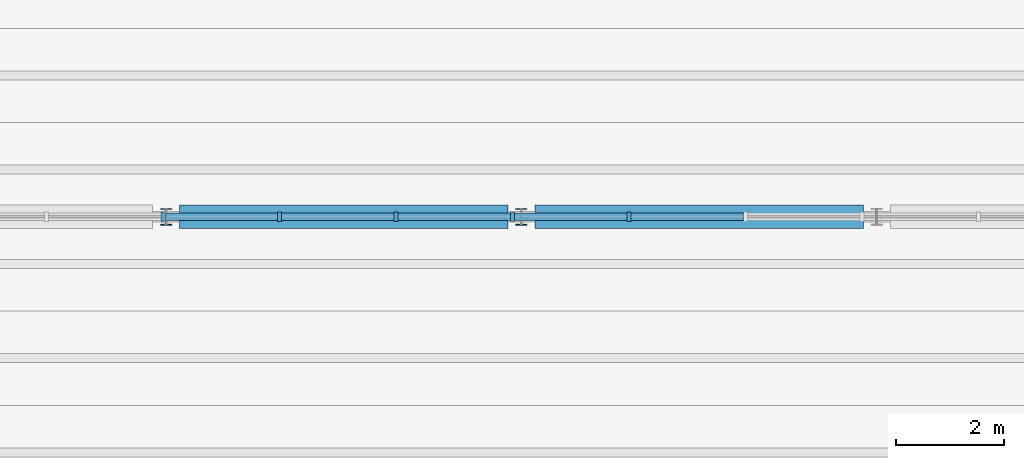
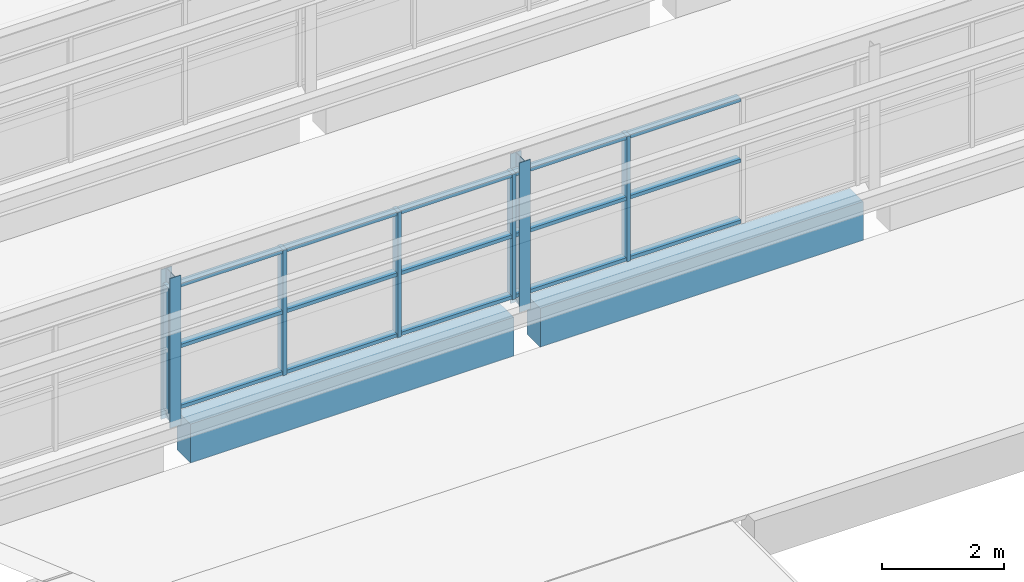
# One storey, part 46 of 92: 22 members, 2 beams, 1 element without a shape of its own.
"""IFC4 building model written with IfcOpenShell, lengths in metres."""

from ifc_helpers import new_model, si_unit, direction, frame, origin, origin_2d, place, context, subcontext, project, spatial, rectangle, i_section, extrude, material, material_profile, profile_set, type_object, element, aggregate, save


model = new_model("IFC4")

# Units and contexts
model_context = context("Model", 3, precision=1e-05, world=origin(), true_north=direction((0.0, 1.0)))
body_context = subcontext(model_context, "Body", "Model", "MODEL_VIEW")
ifc_project = project(units=[si_unit("LENGTHUNIT", "METRE"), si_unit("AREAUNIT", "SQUARE_METRE"), si_unit("VOLUMEUNIT", "CUBIC_METRE"), si_unit("PLANEANGLEUNIT", "RADIAN"), si_unit("MASSUNIT", "GRAM", prefix="KILO")], contexts=[model_context])

# Site, building, storey
site_placement = place(None, origin())
site = spatial("IfcSite", under=ifc_project, at=site_placement, CompositionType="ELEMENT")
building_placement = place(site_placement, origin())
building = spatial("IfcBuilding", under=site, at=building_placement, Name="Ciguamira Faculty of Natural Sciences", CompositionType="ELEMENT")
storey_placement = place(building_placement, frame((0.0, 0.0, 16.800048828125)))
storey = spatial("IfcBuildingStorey", under=building, at=storey_placement, Name="L04", CompositionType="ELEMENT", Elevation=16.800048828125)

# Curtain wall, members
ifc_material_1 = material(Name="Anodized aluminium curtain wall", Category="aluminium")
curtain_wall_type = type_object("IfcCurtainWallType", Name="CurtainWall_CW-07", PredefinedType="USERDEFINED", material=ifc_material_1)
curtain_wall_placement = place(storey_placement, origin())
curtain_wall = element("IfcCurtainWall", 1, at=curtain_wall_placement, inside=storey, type_object=curtain_wall_type, Name="V4 north-light wave 5 clerestory glazing 1", ObjectType="UNITISED CURTAIN WALL", PredefinedType="USERDEFINED")
ifc_material_2 = material(Name="Anodized aluminium mullion", Category="aluminium")
ifc_material_profile_1 = material_profile(ifc_material_2, rectangle(XDim=0.070068359375, YDim=0.179931640625, at=origin_2d()), Name="ALU-MUL-70X180")
ifc_profile_set_1 = profile_set([ifc_material_profile_1], Name="Anodized aluminium mullion")
member_type_1 = type_object("IfcMemberType", Name="CWMullion_CWM-02", PredefinedType="MULLION", material=ifc_profile_set_1)
member_1_placement = place(storey_placement, frame((90.244384765625, 80.0, 0.25), z_axis=(0.0, 0.0, 1.0), x_axis=(1.0, 0.0, 0.0)))
member_1 = element("IfcMember", 2, at=member_1_placement, type_object=member_type_1, Name="CW-07 mullion 16", PredefinedType="MULLION", context=body_context, shape_type="SweptSolid", body=[
    extrude(rectangle(XDim=0.070068359375, YDim=0.179931640625, at=origin_2d()), origin(), (0.0, 0.0, 1.0), 2.5),
])
member_2_placement = place(storey_placement, frame((92.407470703125, 80.0, 0.25), z_axis=(0.0, 0.0, 1.0), x_axis=(1.0, 0.0, 0.0)))
member_2 = element("IfcMember", 3, at=member_2_placement, type_object=member_type_1, Name="CW-07 mullion 17", PredefinedType="MULLION", context=body_context, shape_type="SweptSolid", body=[
    extrude(rectangle(XDim=0.070068359375, YDim=0.179931640625, at=origin_2d()), origin(), (0.0, 0.0, 1.0), 2.5),
])
member_3_placement = place(storey_placement, frame((94.5703125, 80.0, 0.25), z_axis=(0.0, 0.0, 1.0), x_axis=(1.0, 0.0, 0.0)))
member_3 = element("IfcMember", 4, at=member_3_placement, type_object=member_type_1, Name="CW-07 mullion 18", PredefinedType="MULLION", context=body_context, shape_type="SweptSolid", body=[
    extrude(rectangle(XDim=0.070068359375, YDim=0.179931640625, at=origin_2d()), origin(), (0.0, 0.0, 1.0), 2.5),
])
member_4_placement = place(storey_placement, frame((96.7333984375, 80.0, 0.25), z_axis=(0.0, 0.0, 1.0), x_axis=(1.0, 0.0, 0.0)))
member_4 = element("IfcMember", 5, at=member_4_placement, type_object=member_type_1, Name="CW-07 mullion 19", PredefinedType="MULLION", context=body_context, shape_type="SweptSolid", body=[
    extrude(rectangle(XDim=0.070068359375, YDim=0.179931640625, at=origin_2d()), origin(), (0.0, 0.0, 1.0), 2.5),
])
member_5_placement = place(storey_placement, frame((98.896240234375, 80.0, 0.25), z_axis=(0.0, 0.0, 1.0), x_axis=(1.0, 0.0, 0.0)))
member_5 = element("IfcMember", 6, at=member_5_placement, type_object=member_type_1, Name="CW-07 mullion 20", PredefinedType="MULLION", context=body_context, shape_type="SweptSolid", body=[
    extrude(rectangle(XDim=0.070068359375, YDim=0.179931640625, at=origin_2d()), origin(), (0.0, 0.0, 1.0), 2.5),
])
ifc_material_3 = material(Name="Anodized aluminium transom", Category="aluminium")
ifc_material_profile_2 = material_profile(ifc_material_3, rectangle(XDim=0.070068359375, YDim=0.139892578125, at=origin_2d()), Name="ALU-TRN-70X140")
ifc_profile_set_2 = profile_set([ifc_material_profile_2], Name="Anodized aluminium transom")
member_type_2 = type_object("IfcMemberType", Name="CWTransom_CWT-02", PredefinedType="USERDEFINED", material=ifc_profile_set_2)
member_6_placement = place(storey_placement, frame((90.279541015625, 80.0, 0.284912109375), z_axis=(1.0, 0.0, 0.0), x_axis=(0.0, 0.0, 1.0)))
member_6 = element("IfcMember", 7, at=member_6_placement, type_object=member_type_2, Name="CW-07 transom 16.1", ObjectType="TRANSOM", PredefinedType="USERDEFINED", context=body_context, shape_type="SweptSolid", body=[
    extrude(rectangle(XDim=0.070068359375, YDim=0.139892578125, at=origin_2d()), origin(), (0.0, 0.0, 1.0), 2.0927734375),
])
member_7_placement = place(storey_placement, frame((90.279541015625, 80.0, 1.5), z_axis=(1.0, 0.0, 0.0), x_axis=(0.0, 0.0, 1.0)))
member_7 = element("IfcMember", 8, at=member_7_placement, type_object=member_type_2, Name="CW-07 transom 16.2", ObjectType="TRANSOM", PredefinedType="USERDEFINED", context=body_context, shape_type="SweptSolid", body=[
    extrude(rectangle(XDim=0.070068359375, YDim=0.139892578125, at=origin_2d()), origin(), (0.0, 0.0, 1.0), 2.0927734375),
])
member_8_placement = place(storey_placement, frame((90.279541015625, 80.0, 2.71484375), z_axis=(1.0, 0.0, 0.0), x_axis=(0.0, 0.0, 1.0)))
member_8 = element("IfcMember", 9, at=member_8_placement, type_object=member_type_2, Name="CW-07 transom 16.3", ObjectType="TRANSOM", PredefinedType="USERDEFINED", context=body_context, shape_type="SweptSolid", body=[
    extrude(rectangle(XDim=0.070068359375, YDim=0.139892578125, at=origin_2d()), origin(), (0.0, 0.0, 1.0), 2.0927734375),
])
member_9_placement = place(storey_placement, frame((92.4423828125, 80.0, 0.284912109375), z_axis=(1.0, 0.0, 0.0), x_axis=(0.0, 0.0, 1.0)))
member_9 = element("IfcMember", 10, at=member_9_placement, type_object=member_type_2, Name="CW-07 transom 17.1", ObjectType="TRANSOM", PredefinedType="USERDEFINED", context=body_context, shape_type="SweptSolid", body=[
    extrude(rectangle(XDim=0.070068359375, YDim=0.139892578125, at=origin_2d()), origin(), (0.0, 0.0, 1.0), 2.093017578125),
])
member_10_placement = place(storey_placement, frame((92.4423828125, 80.0, 1.5), z_axis=(1.0, 0.0, 0.0), x_axis=(0.0, 0.0, 1.0)))
member_10 = element("IfcMember", 11, at=member_10_placement, type_object=member_type_2, Name="CW-07 transom 17.2", ObjectType="TRANSOM", PredefinedType="USERDEFINED", context=body_context, shape_type="SweptSolid", body=[
    extrude(rectangle(XDim=0.070068359375, YDim=0.139892578125, at=origin_2d()), origin(), (0.0, 0.0, 1.0), 2.093017578125),
])
member_11_placement = place(storey_placement, frame((92.4423828125, 80.0, 2.71484375), z_axis=(1.0, 0.0, 0.0), x_axis=(0.0, 0.0, 1.0)))
member_11 = element("IfcMember", 12, at=member_11_placement, type_object=member_type_2, Name="CW-07 transom 17.3", ObjectType="TRANSOM", PredefinedType="USERDEFINED", context=body_context, shape_type="SweptSolid", body=[
    extrude(rectangle(XDim=0.070068359375, YDim=0.139892578125, at=origin_2d()), origin(), (0.0, 0.0, 1.0), 2.093017578125),
])
member_12_placement = place(storey_placement, frame((94.60546875, 80.0, 0.284912109375), z_axis=(1.0, 0.0, 0.0), x_axis=(0.0, 0.0, 1.0)))
member_12 = element("IfcMember", 13, at=member_12_placement, type_object=member_type_2, Name="CW-07 transom 18.1", ObjectType="TRANSOM", PredefinedType="USERDEFINED", context=body_context, shape_type="SweptSolid", body=[
    extrude(rectangle(XDim=0.070068359375, YDim=0.139892578125, at=origin_2d()), origin(), (0.0, 0.0, 1.0), 2.0927734375),
])
member_13_placement = place(storey_placement, frame((94.60546875, 80.0, 1.5), z_axis=(1.0, 0.0, 0.0), x_axis=(0.0, 0.0, 1.0)))
member_13 = element("IfcMember", 14, at=member_13_placement, type_object=member_type_2, Name="CW-07 transom 18.2", ObjectType="TRANSOM", PredefinedType="USERDEFINED", context=body_context, shape_type="SweptSolid", body=[
    extrude(rectangle(XDim=0.070068359375, YDim=0.139892578125, at=origin_2d()), origin(), (0.0, 0.0, 1.0), 2.0927734375),
])
member_14_placement = place(storey_placement, frame((94.60546875, 80.0, 2.71484375), z_axis=(1.0, 0.0, 0.0), x_axis=(0.0, 0.0, 1.0)))
member_14 = element("IfcMember", 15, at=member_14_placement, type_object=member_type_2, Name="CW-07 transom 18.3", ObjectType="TRANSOM", PredefinedType="USERDEFINED", context=body_context, shape_type="SweptSolid", body=[
    extrude(rectangle(XDim=0.070068359375, YDim=0.139892578125, at=origin_2d()), origin(), (0.0, 0.0, 1.0), 2.0927734375),
])
member_15_placement = place(storey_placement, frame((96.768310546875, 80.0, 0.284912109375), z_axis=(1.0, 0.0, 0.0), x_axis=(0.0, 0.0, 1.0)))
member_15 = element("IfcMember", 16, at=member_15_placement, type_object=member_type_2, Name="CW-07 transom 19.1", ObjectType="TRANSOM", PredefinedType="USERDEFINED", context=body_context, shape_type="SweptSolid", body=[
    extrude(rectangle(XDim=0.070068359375, YDim=0.139892578125, at=origin_2d()), origin(), (0.0, 0.0, 1.0), 2.093017578125),
])
member_16_placement = place(storey_placement, frame((96.768310546875, 80.0, 1.5), z_axis=(1.0, 0.0, 0.0), x_axis=(0.0, 0.0, 1.0)))
member_16 = element("IfcMember", 17, at=member_16_placement, type_object=member_type_2, Name="CW-07 transom 19.2", ObjectType="TRANSOM", PredefinedType="USERDEFINED", context=body_context, shape_type="SweptSolid", body=[
    extrude(rectangle(XDim=0.070068359375, YDim=0.139892578125, at=origin_2d()), origin(), (0.0, 0.0, 1.0), 2.093017578125),
])
member_17_placement = place(storey_placement, frame((96.768310546875, 80.0, 2.71484375), z_axis=(1.0, 0.0, 0.0), x_axis=(0.0, 0.0, 1.0)))
member_17 = element("IfcMember", 18, at=member_17_placement, type_object=member_type_2, Name="CW-07 transom 19.3", ObjectType="TRANSOM", PredefinedType="USERDEFINED", context=body_context, shape_type="SweptSolid", body=[
    extrude(rectangle(XDim=0.070068359375, YDim=0.139892578125, at=origin_2d()), origin(), (0.0, 0.0, 1.0), 2.093017578125),
])
member_18_placement = place(storey_placement, frame((98.931396484375, 80.0, 0.284912109375), z_axis=(1.0, 0.0, 0.0), x_axis=(0.0, 0.0, 1.0)))
member_18 = element("IfcMember", 19, at=member_18_placement, type_object=member_type_2, Name="CW-07 transom 20.1", ObjectType="TRANSOM", PredefinedType="USERDEFINED", context=body_context, shape_type="SweptSolid", body=[
    extrude(rectangle(XDim=0.070068359375, YDim=0.139892578125, at=origin_2d()), origin(), (0.0, 0.0, 1.0), 2.0927734375),
])
member_19_placement = place(storey_placement, frame((98.931396484375, 80.0, 1.5), z_axis=(1.0, 0.0, 0.0), x_axis=(0.0, 0.0, 1.0)))
member_19 = element("IfcMember", 20, at=member_19_placement, type_object=member_type_2, Name="CW-07 transom 20.2", ObjectType="TRANSOM", PredefinedType="USERDEFINED", context=body_context, shape_type="SweptSolid", body=[
    extrude(rectangle(XDim=0.070068359375, YDim=0.139892578125, at=origin_2d()), origin(), (0.0, 0.0, 1.0), 2.0927734375),
])
member_20_placement = place(storey_placement, frame((98.931396484375, 80.0, 2.71484375), z_axis=(1.0, 0.0, 0.0), x_axis=(0.0, 0.0, 1.0)))
member_20 = element("IfcMember", 21, at=member_20_placement, type_object=member_type_2, Name="CW-07 transom 20.3", ObjectType="TRANSOM", PredefinedType="USERDEFINED", context=body_context, shape_type="SweptSolid", body=[
    extrude(rectangle(XDim=0.070068359375, YDim=0.139892578125, at=origin_2d()), origin(), (0.0, 0.0, 1.0), 2.0927734375),
])
aggregate(curtain_wall, [member_1, member_2, member_3, member_4, member_5, member_6, member_7, member_8, member_9, member_10, member_11, member_12, member_13, member_14, member_15, member_16, member_17, member_18, member_19, member_20])

# Beams
ifc_material_4 = material(Name="Concrete C40/50", Category="concrete")
ifc_material_profile_3 = material_profile(ifc_material_4, rectangle(XDim=0.43994140625, YDim=0.780029296875, at=origin_2d()), Name="RC-BM-440X780")
ifc_profile_set_3 = profile_set([ifc_material_profile_3], Name="Concrete C40/50")
beam_type = type_object("IfcBeamType", Name="RCBeam_BG-06_RC-BM-440X780", PredefinedType="BEAM", material=ifc_profile_set_3)
beam_1_placement = place(storey_placement, frame((90.550048828125, 80.0, -0.39013671875), z_axis=(1.0, 0.0, 0.0), x_axis=(0.0, 1.0, 0.0)))
element("IfcBeam", 22, at=beam_1_placement, inside=storey, type_object=beam_type, Name="V4 north-light wave 5 RC valley beam NVL-1-6", PredefinedType="BEAM", context=body_context, shape_type="SweptSolid", body=[
    extrude(rectangle(XDim=0.43994140625, YDim=0.780029296875, at=origin_2d()), origin(), (0.0, 0.0, 1.0), 6.099853515625),
])
beam_2_placement = place(storey_placement, frame((97.14990234375, 80.0, -0.39013671875), z_axis=(1.0, 0.0, 0.0), x_axis=(0.0, 1.0, 0.0)))
element("IfcBeam", 23, at=beam_2_placement, inside=storey, type_object=beam_type, Name="V4 north-light wave 5 RC valley beam NVL-1-7", PredefinedType="BEAM", context=body_context, shape_type="SweptSolid", body=[
    extrude(rectangle(XDim=0.43994140625, YDim=0.780029296875, at=origin_2d()), origin(), (0.0, 0.0, 1.0), 6.10009765625),
])

# Members
ifc_material_5 = material(Name="Steel ASTM A992 Grade 50", Category="steel")
ifc_material_profile_4 = material_profile(ifc_material_5, i_section(OverallWidth=0.20458984375, OverallDepth=0.307373046875, WebThickness=0.008544921875, FlangeThickness=0.0146484375, at=origin_2d()), Name="W12X45")
ifc_profile_set_4 = profile_set([ifc_material_profile_4], Name="Steel ASTM A992 Grade 50")
member_type_3 = type_object("IfcMemberType", Name="SteelMember_TS-01_W12X45", PredefinedType="STRUT", material=ifc_profile_set_4)
for number, where, z_axis, x_axis, name in (
    (24, (90.300048828125, 80.0, 0.0), (0.0, 0.0, 1.0), (1.0, 0.0, 0.0), "V4 north-light wave 5 clerestory post 90"),
    (25, (96.89990234375, 80.0, 0.0), (0.0, 0.0, 1.0), (1.0, 0.0, 0.0), "V4 north-light wave 5 clerestory post 97"),
):
    element("IfcMember", number, at=place(storey_placement, frame(where, z_axis=z_axis, x_axis=x_axis)), inside=storey, type_object=member_type_3, Name=name, PredefinedType="STRUT", context=body_context, shape_type="SweptSolid", body=[
        extrude(i_section(OverallWidth=0.20458984375, OverallDepth=0.307373046875, WebThickness=0.008544921875, FlangeThickness=0.0146484375, at=origin_2d()), origin(), (0.0, 0.0, 1.0), 2.986328125),
    ])

save(model, "model.ifc")
